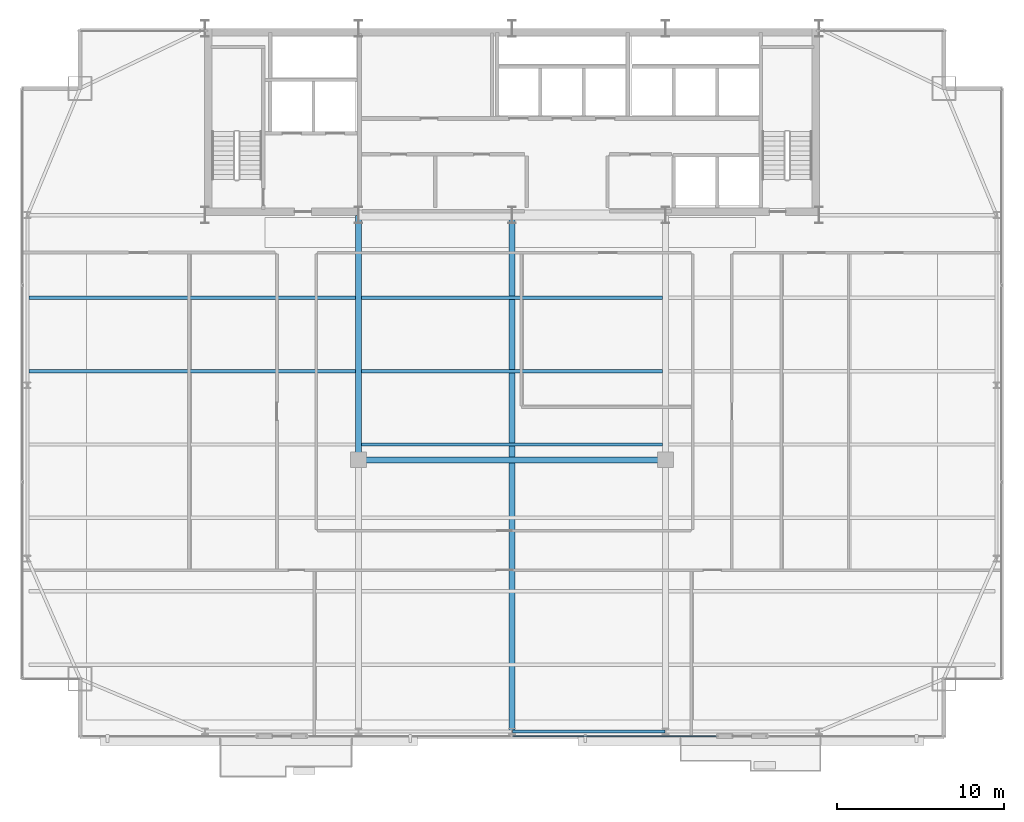
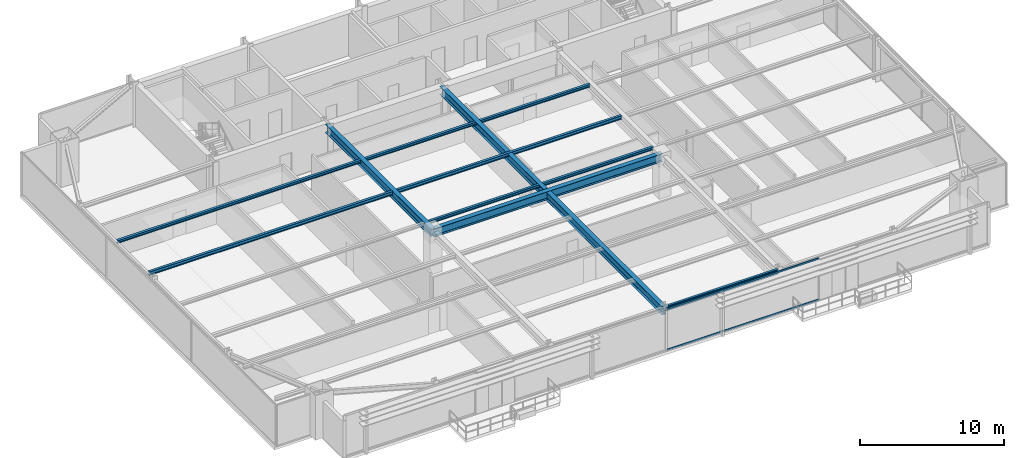
# One storey, part 11 of 32: 9 beams, 2 members, 1 element without a shape of its own.
"""IFC4 building model written with IfcOpenShell, lengths in metres."""

from ifc_helpers import new_model, si_unit, direction, frame, origin, origin_2d, place, context, subcontext, project, spatial, hollow_rectangle, i_section, extrude, source, transform, mapped, material, layer, layer_set, material_profile, profile_set, type_object, type_shapes, element, aggregate, save


model = new_model("IFC4")

# Units and contexts
model_context = context("Model", 3, precision=1e-05, world=origin(), true_north=direction((0.0, 1.0)))
body_context = subcontext(model_context, "Body", "Model", "MODEL_VIEW")
ifc_project = project(units=[si_unit("LENGTHUNIT", "METRE"), si_unit("AREAUNIT", "SQUARE_METRE"), si_unit("VOLUMEUNIT", "CUBIC_METRE"), si_unit("PLANEANGLEUNIT", "RADIAN"), si_unit("MASSUNIT", "GRAM", prefix="KILO")], contexts=[model_context])

# Site, building, storey
site_placement = place(None, origin())
site = spatial("IfcSite", under=ifc_project, at=site_placement, CompositionType="ELEMENT")
building_placement = place(site_placement, origin())
building = spatial("IfcBuilding", under=site, at=building_placement, Name="Varnel Quay Broadcast Tower", CompositionType="ELEMENT")
storey_placement = place(building_placement, frame((0.0, 0.0, 133.39990234375)))
storey = spatial("IfcBuildingStorey", under=building, at=storey_placement, Name="L32", CompositionType="ELEMENT", Elevation=133.39990234375)

# Beams
ifc_material_1 = material(Name="Structural Steel CSA G40.21 350W", Category="steel")
ifc_material_profile_1 = material_profile(ifc_material_1, i_section(OverallWidth=0.180908203125, OverallDepth=0.4169921875, WebThickness=0.010986328125, FlangeThickness=0.018310546875, FilletRadius=0.011962890625, at=origin_2d()), Name="W410X85")
ifc_profile_set_1 = profile_set([ifc_material_profile_1], Name="Structural Steel CSA G40.21 350W")
beam_type_1 = type_object("IfcBeamType", Name="Beam_W410X85", PredefinedType="SPANDREL", material=ifc_profile_set_1)
shared_shape_1 = source(origin(), body_context, "Body", "SweptSolid", [
    extrude(i_section(OverallWidth=0.180908203125, OverallDepth=0.4169921875, WebThickness=0.010986328125, FlangeThickness=0.018310546875, FilletRadius=0.011962890625, at=origin_2d()), origin(), (0.0, 0.0, 1.0), 9.159912109375),
])
type_shapes(beam_type_1, [shared_shape_1])
beam_1_placement = place(storey_placement, frame((34.02001953125, 4.64990234375, 3.341552734375), z_axis=(1.0, 0.0, 0.0), x_axis=(0.0, 1.0, 0.0)))
element("IfcBeam", 1, at=beam_1_placement, inside=storey, type_object=beam_type_1, Name="L32 South Spandrel TC-S3-TC-S4", PredefinedType="SPANDREL", context=body_context, shape_type="MappedRepresentation", body=[
    mapped(shared_shape_1, transform((0.0, 0.0, 0.0), x_axis=(1.0, 0.0, 0.0), y_axis=(0.0, 1.0, 0.0), z_axis=(0.0, 0.0, 1.0), scale=1.0)),
])
ifc_material_profile_2 = material_profile(ifc_material_1, i_section(OverallWidth=0.35498046875, OverallDepth=0.695068359375, WebThickness=0.015380859375, FlangeThickness=0.02490234375, FilletRadius=0.01806640625, at=origin_2d()), Name="W690X217")
ifc_profile_set_2 = profile_set([ifc_material_profile_2], Name="Structural Steel CSA G40.21 350W")
beam_type_2 = type_object("IfcBeamType", Name="Girder_W690X217", PredefinedType="BEAM", material=ifc_profile_set_2)
shared_shape_2 = source(origin(), body_context, "Body", "SweptSolid", [
    extrude(i_section(OverallWidth=0.35498046875, OverallDepth=0.695068359375, WebThickness=0.015380859375, FlangeThickness=0.02490234375, FilletRadius=0.01806640625, at=origin_2d()), origin(), (0.0, 0.0, 1.0), 14.630126953125),
])
beam_2_placement = place(storey_placement, frame((24.800048828125, 20.949951171875, 3.20263671875), z_axis=(0.0, 1.0, 0.0), x_axis=(-1.0, 0.0, 0.0)))
element("IfcBeam", 2, at=beam_2_placement, inside=storey, type_object=beam_type_2, Name="L32 Primary Girder IC-01-CC-S2", PredefinedType="BEAM", context=body_context, shape_type="MappedRepresentation", body=[
    mapped(shared_shape_2, transform((0.0, 0.0, 0.0), x_axis=(1.0, 0.0, 0.0), y_axis=(0.0, 1.0, 0.0), z_axis=(0.0, 0.0, 1.0), scale=1.0)),
])
shared_shape_3 = source(origin(), body_context, "Body", "SweptSolid", [
    extrude(i_section(OverallWidth=0.35498046875, OverallDepth=0.695068359375, WebThickness=0.015380859375, FlangeThickness=0.02490234375, FilletRadius=0.01806640625, at=origin_2d()), origin(), (0.0, 0.0, 1.0), 18.35986328125),
])
beam_3_placement = place(storey_placement, frame((24.820068359375, 20.929931640625, 3.20263671875), z_axis=(1.0, 0.0, 0.0), x_axis=(0.0, 1.0, 0.0)))
element("IfcBeam", 3, at=beam_3_placement, inside=storey, type_object=beam_type_2, Name="L32 Interior Spine Girder", PredefinedType="BEAM", context=body_context, shape_type="MappedRepresentation", body=[
    mapped(shared_shape_3, transform((0.0, 0.0, 0.0), x_axis=(1.0, 0.0, 0.0), y_axis=(0.0, 1.0, 0.0), z_axis=(0.0, 0.0, 1.0), scale=1.0)),
])
shared_shape_4 = source(origin(), body_context, "Body", "SweptSolid", [
    extrude(i_section(OverallWidth=0.35498046875, OverallDepth=0.695068359375, WebThickness=0.015380859375, FlangeThickness=0.02490234375, FilletRadius=0.01806640625, at=origin_2d()), origin(), (0.0, 0.0, 1.0), 30.91015625),
])
type_shapes(beam_type_2, [shared_shape_2, shared_shape_3, shared_shape_4])
beam_4_placement = place(storey_placement, frame((34.0, 4.669921875, 3.20263671875), z_axis=(0.0, 1.0, 0.0), x_axis=(-1.0, 0.0, 0.0)))
element("IfcBeam", 4, at=beam_4_placement, inside=storey, type_object=beam_type_2, Name="L32 Central Bay Girder", PredefinedType="BEAM", context=body_context, shape_type="MappedRepresentation", body=[
    mapped(shared_shape_4, transform((0.0, 0.0, 0.0), x_axis=(1.0, 0.0, 0.0), y_axis=(0.0, 1.0, 0.0), z_axis=(0.0, 0.0, 1.0), scale=1.0)),
])
ifc_material_profile_3 = material_profile(ifc_material_1, i_section(OverallWidth=0.202880859375, OverallDepth=0.302978515625, WebThickness=0.007568359375, FlangeThickness=0.01318359375, FilletRadius=0.011962890625, at=origin_2d()), Name="W310X60")
ifc_profile_set_3 = profile_set([ifc_material_profile_3], Name="Structural Steel CSA G40.21 350W")
beam_type_3 = type_object("IfcBeamType", Name="Beam_W310X60", PredefinedType="JOIST", material=ifc_profile_set_3)
shared_shape_5 = source(origin(), body_context, "Body", "SweptSolid", [
    extrude(i_section(OverallWidth=0.202880859375, OverallDepth=0.302978515625, WebThickness=0.007568359375, FlangeThickness=0.01318359375, FilletRadius=0.011962890625, at=origin_2d()), origin(), (0.0, 0.0, 1.0), 19.592041015625),
])
beam_5_placement = place(storey_placement, frame((5.035400390625, 26.25, 3.398681640625), z_axis=(1.0, 0.0, 0.0), x_axis=(0.0, 1.0, 0.0)))
element("IfcBeam", 5, at=beam_5_placement, inside=storey, type_object=beam_type_3, Name="L32 West Floor Joist 5", PredefinedType="JOIST", context=body_context, shape_type="MappedRepresentation", body=[
    mapped(shared_shape_5, transform((0.0, 0.0, 0.0), x_axis=(1.0, 0.0, 0.0), y_axis=(0.0, 1.0, 0.0), z_axis=(0.0, 0.0, 1.0), scale=1.0)),
])
shared_shape_6 = source(origin(), body_context, "Body", "SweptSolid", [
    extrude(i_section(OverallWidth=0.202880859375, OverallDepth=0.302978515625, WebThickness=0.007568359375, FlangeThickness=0.01318359375, FilletRadius=0.011962890625, at=origin_2d()), origin(), (0.0, 0.0, 1.0), 18.05517578125),
])
type_shapes(beam_type_3, [shared_shape_5, shared_shape_6])
beam_6_placement = place(storey_placement, frame((24.972412109375, 26.25, 3.398681640625), z_axis=(1.0, 0.0, 0.0), x_axis=(0.0, 1.0, 0.0)))
element("IfcBeam", 6, at=beam_6_placement, inside=storey, type_object=beam_type_3, Name="L32 Central Floor Joist 5", PredefinedType="JOIST", context=body_context, shape_type="MappedRepresentation", body=[
    mapped(shared_shape_6, transform((0.0, 0.0, 0.0), x_axis=(1.0, 0.0, 0.0), y_axis=(0.0, 1.0, 0.0), z_axis=(0.0, 0.0, 1.0), scale=1.0)),
])
ifc_material_profile_4 = material_profile(ifc_material_1, i_section(OverallWidth=0.201904296875, OverallDepth=0.2470703125, WebThickness=0.00732421875, FlangeThickness=0.010986328125, FilletRadius=0.010986328125, at=origin_2d()), Name="W250X49")
ifc_profile_set_4 = profile_set([ifc_material_profile_4], Name="Structural Steel CSA G40.21 350W")
beam_type_4 = type_object("IfcBeamType", Name="Beam_W250X49", PredefinedType="JOIST", material=ifc_profile_set_4)
shared_shape_7 = source(origin(), body_context, "Body", "SweptSolid", [
    extrude(i_section(OverallWidth=0.201904296875, OverallDepth=0.2470703125, WebThickness=0.00732421875, FlangeThickness=0.010986328125, FilletRadius=0.010986328125, at=origin_2d()), origin(), (0.0, 0.0, 1.0), 19.592041015625),
])
beam_7_placement = place(storey_placement, frame((5.035400390625, 30.64990234375, 3.426513671875), z_axis=(1.0, 0.0, 0.0), x_axis=(0.0, 1.0, 0.0)))
element("IfcBeam", 7, at=beam_7_placement, inside=storey, type_object=beam_type_4, Name="L32 West Floor Joist 6", PredefinedType="JOIST", context=body_context, shape_type="MappedRepresentation", body=[
    mapped(shared_shape_7, transform((0.0, 0.0, 0.0), x_axis=(1.0, 0.0, 0.0), y_axis=(0.0, 1.0, 0.0), z_axis=(0.0, 0.0, 1.0), scale=1.0)),
])
shared_shape_8 = source(origin(), body_context, "Body", "SweptSolid", [
    extrude(i_section(OverallWidth=0.201904296875, OverallDepth=0.2470703125, WebThickness=0.00732421875, FlangeThickness=0.010986328125, FilletRadius=0.010986328125, at=origin_2d()), origin(), (0.0, 0.0, 1.0), 18.05517578125),
])
type_shapes(beam_type_4, [shared_shape_7, shared_shape_8])
for number, where, z_axis, x_axis, name in (
    (8, (24.972412109375, 21.85009765625, 3.426513671875), (1.0, 0.0, 0.0), (0.0, 1.0, 0.0), "L32 Central Floor Joist 4"),
    (9, (24.972412109375, 30.64990234375, 3.426513671875), (1.0, 0.0, 0.0), (0.0, 1.0, 0.0), "L32 Central Floor Joist 6"),
):
    element("IfcBeam", number, at=place(storey_placement, frame(where, z_axis=z_axis, x_axis=x_axis)), inside=storey, type_object=beam_type_4, Name=name, PredefinedType="JOIST", context=body_context, shape_type="MappedRepresentation", body=[
        mapped(shared_shape_8, transform((0.0, 0.0, 0.0), x_axis=(1.0, 0.0, 0.0), y_axis=(0.0, 1.0, 0.0), z_axis=(0.0, 0.0, 1.0), scale=1.0)),
    ])

# Curtain wall, members
ifc_material_2 = material(Name="Anodised Bronze Aluminium 6063-T6", Category="aluminium")
ifc_layer = layer(ifc_material_2, 0.18994140625, Name="Anodised Bronze Aluminium 6063-T6")
ifc_layer_set = layer_set([ifc_layer], Name="Anodised Bronze Aluminium 6063-T6")
curtain_wall_type = type_object("IfcCurtainWallType", Name="CW_LowerTower", PredefinedType="NOTDEFINED", material=ifc_layer_set)
curtain_wall_placement = place(storey_placement, origin())
curtain_wall = element("IfcCurtainWall", 10, at=curtain_wall_placement, inside=storey, type_object=curtain_wall_type, Name="L32 South Unitised Curtain Wall 2", PredefinedType="NOTDEFINED")
ifc_material_profile_5 = material_profile(ifc_material_2, hollow_rectangle(XDim=0.06005859375, YDim=0.14501953125, WallThickness=0.00341796875, at=origin_2d()), Name="ALU60X145X3.5")
ifc_profile_set_5 = profile_set([ifc_material_profile_5], Name="Anodised Bronze Aluminium 6063-T6")
member_type = type_object("IfcMemberType", Name="Tran_CWS-02", PredefinedType="USERDEFINED", material=ifc_profile_set_5)
shared_shape_9 = source(origin(), body_context, "Body", "SweptSolid", [
    extrude(hollow_rectangle(XDim=0.06005859375, YDim=0.14501953125, WallThickness=0.00341796875, at=origin_2d()), origin(), (0.0, 0.0, 1.0), 12.215087890625),
])
type_shapes(member_type, [shared_shape_9])
member_1_placement = place(storey_placement, frame((34.034912109375, 4.35009765625, 0.030029296875), z_axis=(1.0, 0.0, 0.0), x_axis=(0.0, 1.0, 0.0)))
member_1 = element("IfcMember", 11, at=member_1_placement, type_object=member_type, Name="CWS-02 transom 2.1", ObjectType="TRANSOM", PredefinedType="USERDEFINED", context=body_context, shape_type="MappedRepresentation", body=[
    mapped(shared_shape_9, transform((0.0, 0.0, 0.0), x_axis=(1.0, 0.0, 0.0), y_axis=(0.0, 1.0, 0.0), z_axis=(0.0, 0.0, 1.0), scale=1.0)),
])
member_2_placement = place(storey_placement, frame((34.034912109375, 4.35009765625, 3.52001953125), z_axis=(1.0, 0.0, 0.0), x_axis=(0.0, 1.0, 0.0)))
member_2 = element("IfcMember", 12, at=member_2_placement, type_object=member_type, Name="CWS-02 transom 2.2", ObjectType="TRANSOM", PredefinedType="USERDEFINED", context=body_context, shape_type="MappedRepresentation", body=[
    mapped(shared_shape_9, transform((0.0, 0.0, 0.0), x_axis=(1.0, 0.0, 0.0), y_axis=(0.0, 1.0, 0.0), z_axis=(0.0, 0.0, 1.0), scale=1.0)),
])
aggregate(curtain_wall, [member_1, member_2])

save(model, "model.ifc")
